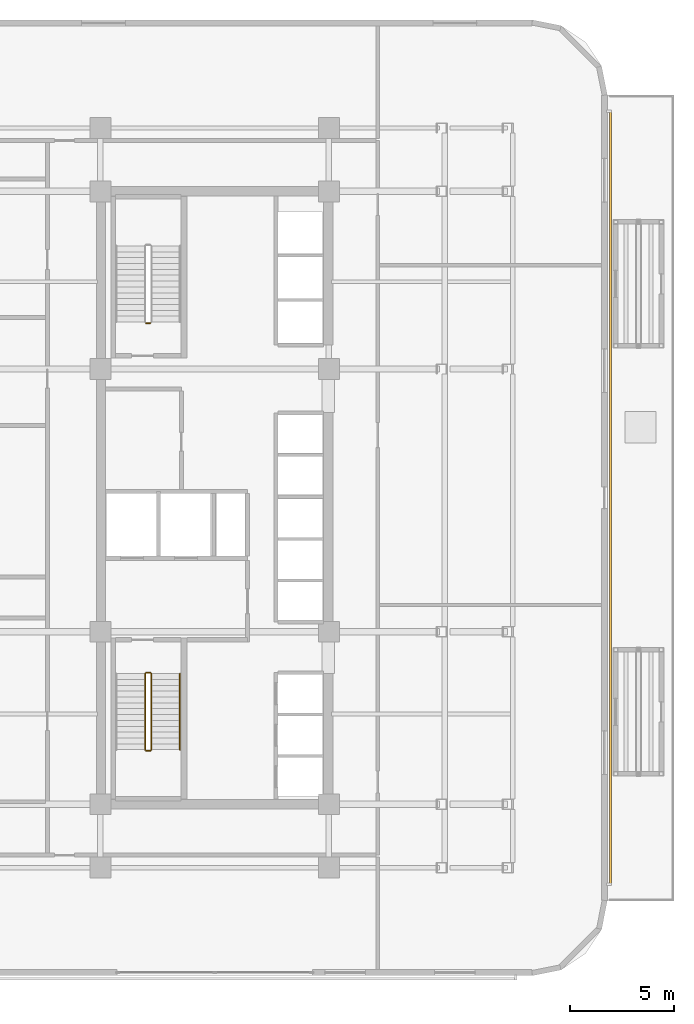
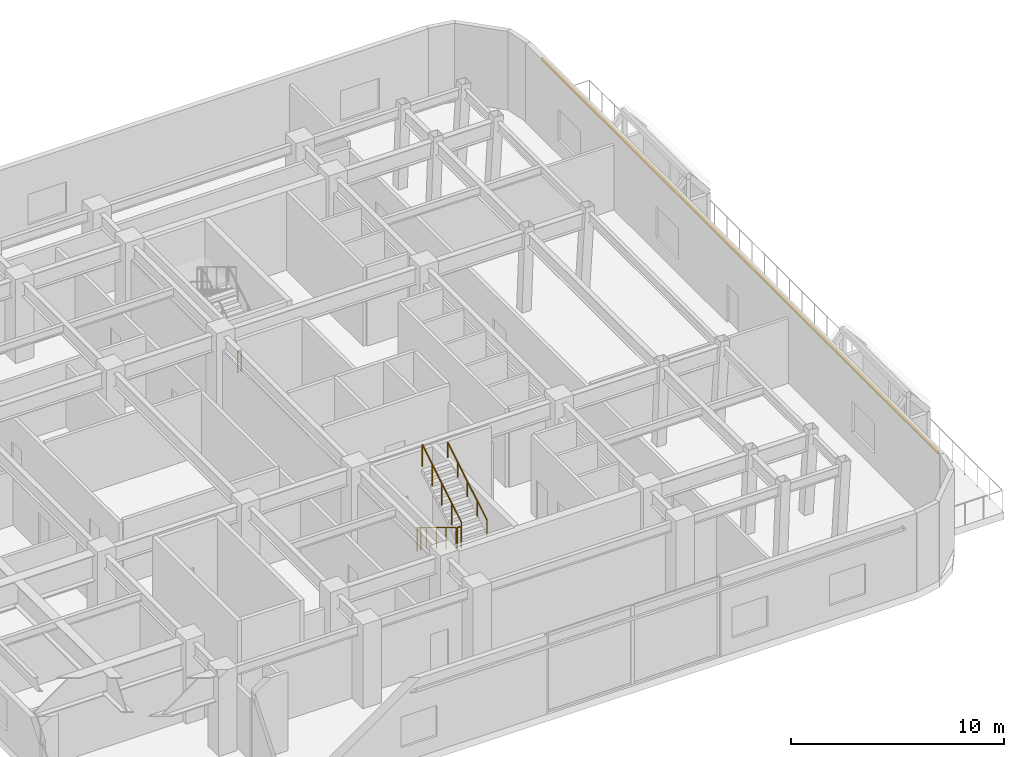
# One storey, part 16 of 18: 6 railings, 1 shading device.
"""IFC4 building model written with IfcOpenShell, lengths in metres."""

from ifc_helpers import new_model, si_unit, direction, frame, origin, origin_2d, place, context, subcontext, project, spatial, rectangle, circle, extrude, material, material_profile, profile_set, type_object, element, save


model = new_model("IFC4")

# Units and contexts
model_context = context("Model", 3, precision=1e-05, world=origin(), true_north=direction((0.0, 1.0)))
body_context = subcontext(model_context, "Body", "Model", "MODEL_VIEW")
ifc_project = project(units=[si_unit("LENGTHUNIT", "METRE"), si_unit("AREAUNIT", "SQUARE_METRE"), si_unit("VOLUMEUNIT", "CUBIC_METRE"), si_unit("PLANEANGLEUNIT", "RADIAN"), si_unit("MASSUNIT", "GRAM", prefix="KILO")], contexts=[model_context])

# Site, building, storey
site_placement = place(None, origin())
site = spatial("IfcSite", under=ifc_project, at=site_placement, CompositionType="ELEMENT")
building_placement = place(site_placement, origin())
building = spatial("IfcBuilding", under=site, at=building_placement, Name="Ochreholt Gables", CompositionType="ELEMENT")
storey_placement = place(building_placement, frame((0.0, 0.0, 19.199951171875)))
storey = spatial("IfcBuildingStorey", under=building, at=storey_placement, Name="L04", CompositionType="ELEMENT", Elevation=19.199951171875)

# Railings
ifc_material_1 = material(Name="Painted Steel Stair Guardrail", Category="steel")
railing_type_1 = type_object("IfcRailingType", Name="RL-ST-GUARD", PredefinedType="GUARDRAIL", material=ifc_material_1)
railing_1_placement = place(storey_placement, frame((26.35009765625, 15.5400390625, 0.17138671875)))
element("IfcRailing", 1, at=railing_1_placement, inside=storey, type_object=railing_type_1, Name="L04 ST-1 stair guard 1", PredefinedType="GUARDRAIL", context=body_context, shape_type="SweptSolid", body=[
    extrude(circle(Radius=0.02392578125, at=origin_2d()), frame((0.0, 0.0, 1.22607421875), z_axis=(0.0, -0.854480833863, 0.519482920374), x_axis=(1.0, 0.0, 0.0)), (0.0, 0.0, 1.0), 4.290283203125),
    extrude(circle(Radius=0.02099609375, at=origin_2d()), origin(), (0.0, 0.0, 1.0), 1.201904296875),
    extrude(circle(Radius=0.02099609375, at=origin_2d()), frame((0.0, -0.91650390625, 0.55712890625)), (0.0, 0.0, 1.0), 1.201904296875),
    extrude(circle(Radius=0.02099609375, at=origin_2d()), frame((0.0, -1.8330078125, 1.1142578125)), (0.0, 0.0, 1.0), 1.201904296875),
    extrude(circle(Radius=0.02099609375, at=origin_2d()), frame((0.0, -2.74951171875, 1.671630859375)), (0.0, 0.0, 1.0), 1.201904296875),
    extrude(circle(Radius=0.02099609375, at=origin_2d()), frame((0.0, -3.666015625, 2.228759765625)), (0.0, 0.0, 1.0), 1.201904296875),
])
railing_2_placement = place(storey_placement, frame((26.39990234375, 11.823974609375, 2.400146484375)))
element("IfcRailing", 2, at=railing_2_placement, inside=storey, type_object=railing_type_1, Name="L04 ST-1 stair guard 2", PredefinedType="GUARDRAIL", context=body_context, shape_type="SweptSolid", body=[
    extrude(circle(Radius=0.02392578125, at=origin_2d()), frame((0.0, 0.0, 1.22607421875), z_axis=(1.0, 0.0, 0.0), x_axis=(0.0, 1.0, 0.0)), (0.0, 0.0, 1.0), 0.2001953125),
    extrude(circle(Radius=0.02099609375, at=origin_2d()), origin(), (0.0, 0.0, 1.0), 1.201904296875),
    extrude(circle(Radius=0.02099609375, at=origin_2d()), frame((0.2001953125, 0.0, 0.0)), (0.0, 0.0, 1.0), 1.201904296875),
])
railing_3_placement = place(storey_placement, frame((26.64990234375, 11.8740234375, 2.571533203125)))
element("IfcRailing", 3, at=railing_3_placement, inside=storey, type_object=railing_type_1, Name="L04 ST-1 stair guard 3", PredefinedType="GUARDRAIL", context=body_context, shape_type="SweptSolid", body=[
    extrude(circle(Radius=0.02392578125, at=origin_2d()), frame((0.0, 0.0, 1.22607421875), z_axis=(0.0, 0.85450609292, 0.519441370283), x_axis=(-1.0, 0.0, 0.0)), (0.0, 0.0, 1.0), 4.290283203125),
    extrude(circle(Radius=0.02099609375, at=origin_2d()), origin(), (0.0, 0.0, 1.0), 1.201904296875),
    extrude(circle(Radius=0.02099609375, at=origin_2d()), frame((0.0, 0.91650390625, 0.55712890625)), (0.0, 0.0, 1.0), 1.201904296875),
    extrude(circle(Radius=0.02099609375, at=origin_2d()), frame((0.0, 1.8330078125, 1.1142578125)), (0.0, 0.0, 1.0), 1.201904296875),
    extrude(circle(Radius=0.02099609375, at=origin_2d()), frame((0.0, 2.74951171875, 1.67138671875)), (0.0, 0.0, 1.0), 1.201904296875),
    extrude(circle(Radius=0.02099609375, at=origin_2d()), frame((0.0, 3.666015625, 2.228515625)), (0.0, 0.0, 1.0), 1.201904296875),
])
railing_4_placement = place(storey_placement, frame((26.39990234375, 15.590087890625, 0.0)))
element("IfcRailing", 4, at=railing_4_placement, inside=storey, type_object=railing_type_1, Name="L04 ST-1 stair guard 4", PredefinedType="GUARDRAIL", context=body_context, shape_type="SweptSolid", body=[
    extrude(circle(Radius=0.02392578125, at=origin_2d()), frame((0.0, 0.0, 1.22607421875), z_axis=(1.0, 0.0, 0.0), x_axis=(0.0, 1.0, 0.0)), (0.0, 0.0, 1.0), 0.2001953125),
    extrude(circle(Radius=0.02099609375, at=origin_2d()), origin(), (0.0, 0.0, 1.0), 1.201904296875),
    extrude(circle(Radius=0.02099609375, at=origin_2d()), frame((0.2001953125, 0.0, 0.0)), (0.0, 0.0, 1.0), 1.201904296875),
])
railing_5_placement = place(storey_placement, frame((26.60009765625, 32.409912109375, 0.0)))
element("IfcRailing", 5, at=railing_5_placement, inside=storey, type_object=railing_type_1, Name="L04 ST-2 stair guard 4", PredefinedType="GUARDRAIL", context=body_context, shape_type="SweptSolid", body=[
    extrude(circle(Radius=0.02392578125, at=origin_2d()), frame((0.0, 0.0, 1.22607421875), z_axis=(-1.0, 0.0, 0.0), x_axis=(0.0, -1.0, 0.0)), (0.0, 0.0, 1.0), 0.2001953125),
    extrude(circle(Radius=0.02099609375, at=origin_2d()), origin(), (0.0, 0.0, 1.0), 1.201904296875),
    extrude(circle(Radius=0.02099609375, at=origin_2d()), frame((-0.2001953125, 0.0, 0.0)), (0.0, 0.0, 1.0), 1.201904296875),
])
ifc_material_2 = material(Name="Brushed Stainless Steel Wall Handrail", Category="steel")
railing_type_2 = type_object("IfcRailingType", Name="RL-ST-HAND", PredefinedType="HANDRAIL", material=ifc_material_2)
railing_6_placement = place(storey_placement, frame((28.030029296875, 11.8740234375, 2.571533203125)))
element("IfcRailing", 6, at=railing_6_placement, inside=storey, type_object=railing_type_2, Name="L04 ST-1 stair handrail 2", PredefinedType="HANDRAIL", context=body_context, shape_type="SweptSolid", body=[
    extrude(circle(Radius=0.02392578125, at=origin_2d()), frame((0.0, 0.0, 0.8759765625), z_axis=(0.0, 0.85450609292, 0.519441370283), x_axis=(-1.0, 0.0, 0.0)), (0.0, 0.0, 1.0), 4.290283203125),
    extrude(circle(Radius=0.02099609375, at=origin_2d()), origin(), (0.0, 0.0, 1.0), 0.851806640625),
    extrude(circle(Radius=0.02099609375, at=origin_2d()), frame((0.0, 0.91650390625, 0.55712890625)), (0.0, 0.0, 1.0), 0.851806640625),
    extrude(circle(Radius=0.02099609375, at=origin_2d()), frame((0.0, 1.8330078125, 1.1142578125)), (0.0, 0.0, 1.0), 0.851806640625),
    extrude(circle(Radius=0.02099609375, at=origin_2d()), frame((0.0, 2.74951171875, 1.67138671875)), (0.0, 0.0, 1.0), 0.851806640625),
    extrude(circle(Radius=0.02099609375, at=origin_2d()), frame((0.0, 3.666015625, 2.228515625)), (0.0, 0.0, 1.0), 0.851806640625),
])

# Shading device
ifc_material_3 = material(Name="Warm Ochre Glazed Terracotta Baguette", Category="masonry")
ifc_material_profile = material_profile(ifc_material_3, rectangle(XDim=0.110107421875, YDim=0.14990234375, at=origin_2d()), Name="TCBAG110X150")
ifc_profile_set = profile_set([ifc_material_profile], Name="Warm Ochre Glazed Terracotta Baguette")
shading_device_type = type_object("IfcShadingDeviceType", Name="SHD-BAGUETTE", PredefinedType="USERDEFINED", material=ifc_profile_set)
shading_device_placement = place(storey_placement, frame((48.75, 5.39990234375, 3.97998046875), z_axis=(0.0, 1.0, 0.0), x_axis=(-1.0, 0.0, 0.0)))
element("IfcShadingDevice", 7, at=shading_device_placement, inside=storey, type_object=shading_device_type, Name="L04 Terracotta Baguette Screen E-1", ObjectType="BAGUETTE", PredefinedType="USERDEFINED", context=body_context, shape_type="SweptSolid", body=[
    extrude(rectangle(XDim=0.110107421875, YDim=0.14990234375, at=origin_2d()), origin(), (0.0, 0.0, 1.0), 37.2001953125),
])

save(model, "model.ifc")
